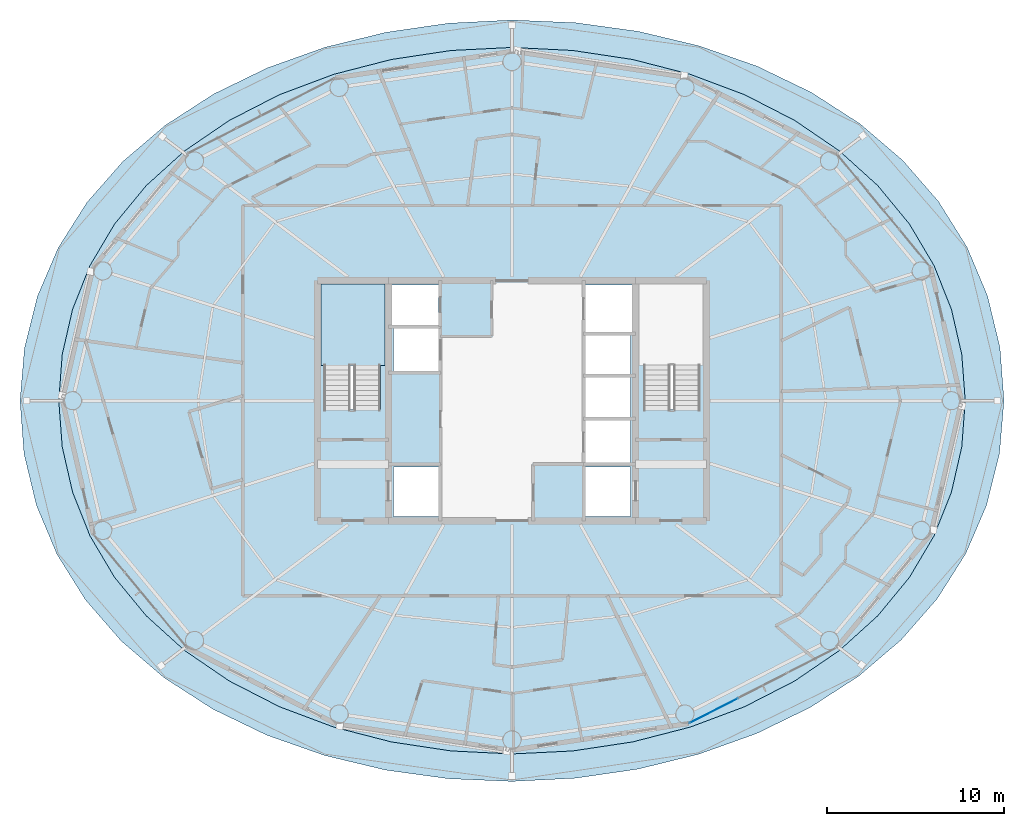
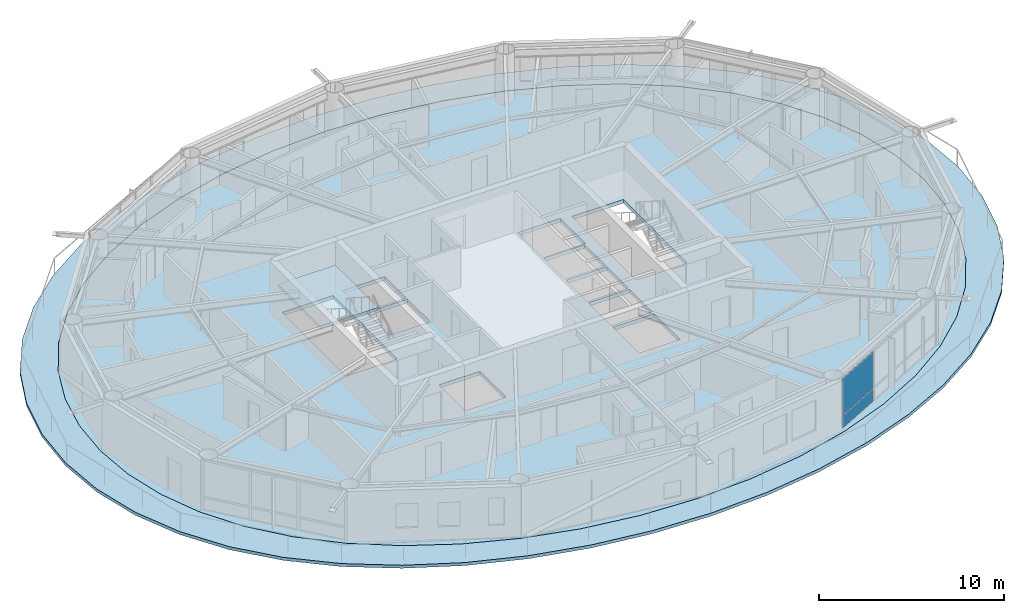
# One storey, part 13 of 23: 3 slabs, 2 plates, 2 elements without a shape of their own.
"""IFC4 building model written with IfcOpenShell, lengths in metres."""

import ifcopenshell
import ifcopenshell.guid

model = None  # the IFC model being written
_history = None  # IfcOwnerHistory: only IFC2X3 demands one
_inside = {}  # id of a spatial element -> (the spatial element, [elements in it])
_under = {}  # id of a project, library or spatial element -> (it, [spatial elements below it])
_declared = {}  # id of a project -> (the project, [libraries it declares])
_typed = {}  # id of a type object -> (the type object, [elements of that type])
_made_of = {}  # id of a material, layer set ... -> (it, [elements and type objects made of it])


def new_model(schema):
    """Start an empty IFC model of exactly this schema.

    Asked for "IFC4X3", IfcOpenShell would pick the latest addendum, in which some entities
    have other attributes; the version numbers below select the first issue.
    IFC2X3 requires an IfcOwnerHistory on every rooted entity: one is made here for all.
    """
    global model, _history
    if schema == "IFC4X3":
        model = ifcopenshell.file(schema_version=(4, 3, 0, 0))
    else:
        model = ifcopenshell.file(schema=schema)
    _inside.clear()
    _under.clear()
    _declared.clear()
    _typed.clear()
    _made_of.clear()
    _history = None
    if model.schema == "IFC2X3":
        org = make("IfcOrganization", Name="unknown")
        user = make(
            "IfcPersonAndOrganization",
            ThePerson=make("IfcPerson", FamilyName="unknown"),
            TheOrganization=org,
        )
        app = make(
            "IfcApplication",
            ApplicationDeveloper=org,
            Version="unknown",
            ApplicationFullName="unknown",
            ApplicationIdentifier="unknown",
        )
        _history = make(
            "IfcOwnerHistory",
            OwningUser=user,
            OwningApplication=app,
            ChangeAction="ADDED",
            CreationDate=0,
        )
    return model


def make(cls, **values):
    """One entity of the class cls with the attributes given. An attribute that is None is left unset."""
    return model.create_entity(
        cls, **{name: value for name, value in values.items() if value is not None}
    )


def rooted(cls, **values):
    """An entity with a GlobalId (a new one), such as an element, a storey or a relation."""
    return make(cls, GlobalId=ifcopenshell.guid.new(), OwnerHistory=_history, **values)


def si_unit(unit_type, name, prefix=None):
    """IfcSIUnit, for example si_unit("LENGTHUNIT", "METRE", prefix="MILLI")."""
    return make("IfcSIUnit", UnitType=unit_type, Prefix=prefix, Name=name)


def assignment(units):
    """IfcUnitAssignment: the units of a project."""
    return None if units is None else make("IfcUnitAssignment", Units=units)


def point(xyz):
    """IfcCartesianPoint."""
    return None if xyz is None else make("IfcCartesianPoint", Coordinates=xyz)


def direction(xyz):
    """IfcDirection."""
    return None if xyz is None else make("IfcDirection", DirectionRatios=xyz)


def frame(location, z_axis=None, x_axis=None):
    """IfcAxis2Placement3D, a coordinate frame: its origin and axes. An axis left out is left unset."""
    return make(
        "IfcAxis2Placement3D",
        Location=point(location),
        Axis=direction(z_axis),
        RefDirection=direction(x_axis),
    )


def frame_2d(location, x_axis=None):
    """IfcAxis2Placement2D, a coordinate frame in the plane: its origin and x axis."""
    return make(
        "IfcAxis2Placement2D", Location=point(location), RefDirection=direction(x_axis)
    )


def origin():
    """The frame at (0, 0, 0) with its axes left unset."""
    return frame((0.0, 0.0, 0.0))


def origin_2d():
    """The frame at (0, 0) in the plane with its x axis left unset."""
    return frame_2d((0.0, 0.0))


def place(relative_to, where):
    """IfcLocalPlacement: puts the frame where relative to a parent placement (None: the world)."""
    return make(
        "IfcLocalPlacement", PlacementRelTo=relative_to, RelativePlacement=where
    )


def context(
    kind, dimensions, precision=None, world=None, true_north=None, identifier=None
):
    """IfcGeometricRepresentationContext, for example the 3D "Model" context."""
    return make(
        "IfcGeometricRepresentationContext",
        ContextIdentifier=identifier,
        ContextType=kind,
        CoordinateSpaceDimension=dimensions,
        Precision=precision,
        WorldCoordinateSystem=world,
        TrueNorth=true_north,
    )


def subcontext(parent, identifier, kind, view, scale=None):
    """IfcGeometricRepresentationSubContext, for example "Body" below "Model"."""
    return make(
        "IfcGeometricRepresentationSubContext",
        ContextIdentifier=identifier,
        ContextType=kind,
        ParentContext=parent,
        TargetScale=scale,
        TargetView=view,
    )


def project(units=None, contexts=None):
    """IfcProject with its units and contexts."""
    return rooted(
        "IfcProject",
        Name="project",
        RepresentationContexts=contexts,
        UnitsInContext=assignment(units),
    )


def spatial(cls, under=None, at=None, **own):
    """A site, building, storey or space (cls), placed at a placement, below another one or the project."""
    s = rooted(cls, ObjectPlacement=at, **own)
    if under is not None:
        _under.setdefault(under.id(), (under, []))[1].append(s)
    return s


def polyline(points):
    """IfcPolyline through the points."""
    return make("IfcPolyline", Points=[point(p) for p in points])


def profile(cls, at=None, kind="AREA", **sizes):
    """A parametric profile (cls). Its sizes go by their IFC names, for example OverallWidth=200.0."""
    return make(cls, ProfileType=kind, Position=at, **sizes)


def rectangle(**sizes):
    """IfcRectangleProfileDef."""
    return profile("IfcRectangleProfileDef", **sizes)


def outline(outer, holes=None, kind="AREA"):
    """IfcArbitraryClosedProfileDef: a profile drawn as a closed curve; with holes, ...WithVoids."""
    if holes is None:
        return make("IfcArbitraryClosedProfileDef", ProfileType=kind, OuterCurve=outer)
    return make(
        "IfcArbitraryProfileDefWithVoids",
        ProfileType=kind,
        OuterCurve=outer,
        InnerCurves=holes,
    )


def extrude(swept, where, along, depth):
    """IfcExtrudedAreaSolid: the profile swept, set in the frame where, extruded along a direction by depth."""
    return make(
        "IfcExtrudedAreaSolid",
        SweptArea=swept,
        Position=where,
        ExtrudedDirection=direction(along),
        Depth=depth,
    )


def shape(context_of_items, identifier, shape_type, items):
    """IfcShapeRepresentation: the items that make up one representation, for example the "Body"."""
    return make(
        "IfcShapeRepresentation",
        ContextOfItems=context_of_items,
        RepresentationIdentifier=identifier,
        RepresentationType=shape_type,
        Items=items,
    )


def material(Name=None, Category=None):
    """IfcMaterial."""
    return make("IfcMaterial", Name=Name, Category=Category)


def layer(
    of_material, thickness, ventilated=None, Name=None, Category=None, Priority=None
):
    """IfcMaterialLayer: one layer of a wall or slab, of a material (None: an air gap)."""
    return make(
        "IfcMaterialLayer",
        Material=of_material,
        LayerThickness=thickness,
        IsVentilated=ventilated,
        Name=Name,
        Category=Category,
        Priority=Priority,
    )


def layer_set(layers, Name=None):
    """IfcMaterialLayerSet."""
    return make("IfcMaterialLayerSet", MaterialLayers=layers, LayerSetName=Name)


def made_of(thing, what):
    """Note that an element or type object is made of a material, layer set ...; save() writes the relation."""
    if what is not None:
        _made_of.setdefault(what.id(), (what, []))[1].append(thing)
    return thing


def type_object(cls, material=None, **own):
    """A type object (cls), such as IfcWallType, which elements share."""
    return made_of(rooted(cls, **own), material)


def element(
    cls,
    number,
    at=None,
    inside=None,
    cuts=None,
    type_object=None,
    material=None,
    context=None,
    identifier="Body",
    shape_type=None,
    held_by="IfcProductDefinitionShape",
    body=None,
    shapes=None,
    **own,
):
    """One element of the class cls, such as IfcWall. Its Tag is "e" and its number.

    at: its placement. inside: the storey or other place that contains it. cuts: it is an
    opening in that element (IfcRelVoidsElement). A single representation is given by context,
    identifier, shape_type and body (its items); several are given by shapes. held_by: the class
    of the entity that holds the representations. save() writes the other relations.
    """
    e = rooted(cls, Tag="e%d" % number, ObjectPlacement=at, **own)
    if body is not None:
        shapes = [shape(context, identifier, shape_type, body)]
    if shapes is not None:
        e.Representation = make(held_by, Representations=shapes)
    if inside is not None:
        _inside.setdefault(inside.id(), (inside, []))[1].append(e)
    if cuts is not None:
        rooted(
            "IfcRelVoidsElement", RelatingBuildingElement=cuts, RelatedOpeningElement=e
        )
    if type_object is not None:
        _typed.setdefault(type_object.id(), (type_object, []))[1].append(e)
    return made_of(e, material)


def aggregate(whole, parts):
    """IfcRelAggregates: a whole, such as a stair, and the parts it consists of."""
    return rooted("IfcRelAggregates", RelatingObject=whole, RelatedObjects=parts)


def save(model, path):
    """Write the relations noted so far, then the file.

    IfcRelAggregates (storeys below a building ...), IfcRelContainedInSpatialStructure (elements
    in a storey), IfcRelDefinesByType, IfcRelAssociatesMaterial and IfcRelDeclares: one each for
    every whole, place, type object, material and project.
    """
    for whole, parts in _under.values():
        aggregate(whole, parts)
    for where, things in _inside.values():
        rooted(
            "IfcRelContainedInSpatialStructure",
            RelatedElements=things,
            RelatingStructure=where,
        )
    for kind, things in _typed.values():
        rooted("IfcRelDefinesByType", RelatedObjects=things, RelatingType=kind)
    for what, things in _made_of.values():
        rooted("IfcRelAssociatesMaterial", RelatedObjects=things, RelatingMaterial=what)
    for by, libraries in _declared.values():
        rooted("IfcRelDeclares", RelatingContext=by, RelatedDefinitions=libraries)
    model.write(path)


model = new_model("IFC4")

# Units and contexts
model_context = context("Model", 3, precision=1e-05, world=origin(), true_north=direction((0.0, 1.0)))
body_context = subcontext(model_context, "Body", "Model", "MODEL_VIEW")
ifc_project = project(units=[si_unit("LENGTHUNIT", "METRE"), si_unit("AREAUNIT", "SQUARE_METRE"), si_unit("VOLUMEUNIT", "CUBIC_METRE"), si_unit("PLANEANGLEUNIT", "RADIAN"), si_unit("MASSUNIT", "GRAM", prefix="KILO")], contexts=[model_context])

# Site, building, storey
site_placement = place(None, origin())
site = spatial("IfcSite", under=ifc_project, at=site_placement, CompositionType="ELEMENT")
building_placement = place(site_placement, origin())
building = spatial("IfcBuilding", under=site, at=building_placement, Name="Sarneth Arch Tower", CompositionType="ELEMENT")
storey_placement = place(building_placement, frame((0.0, 0.0, 235.199951171875)))
storey = spatial("IfcBuildingStorey", under=building, at=storey_placement, Name="L60", CompositionType="ELEMENT", Elevation=235.199951171875)

# Curtain wall, plates
ifc_material_1 = material(Name="Anodised aluminium Type AA25 and solar-control low-e laminated IGU", Category="aluminium")
ifc_layer_1 = layer(ifc_material_1, 0.179931640625)
ifc_layer_set_1 = layer_set([ifc_layer_1], Name="Anodised aluminium Type AA25 and solar-control low-e laminated IGU")
curtain_wall_type = type_object("IfcCurtainWallType", Name="CW-RES-HIGH", PredefinedType="NOTDEFINED", material=ifc_layer_set_1)
curtain_wall_placement = place(storey_placement, origin())
curtain_wall = element("IfcCurtainWall", 1, at=curtain_wall_placement, inside=storey, type_object=curtain_wall_type, Name="L60 Unitised curtain wall facet 14", PredefinedType="NOTDEFINED")
ifc_material_2 = material(Name="Solar-control low-e laminated IGU", Category="glass")
ifc_layer_2 = layer(ifc_material_2, 0.028076171875)
ifc_layer_set_2 = layer_set([ifc_layer_2], Name="Solar-control low-e laminated IGU")
plate_type = type_object("IfcPlateType", Name="CW-PANEL", PredefinedType="CURTAIN_PANEL", material=ifc_layer_set_2)
plate_1_placement = place(storey_placement, frame((59.4208984375, 24.447021484375, 0.06005859375), z_axis=(0.0, 0.0, 1.0), x_axis=(0.890009540525, 0.455941901753, 0.0)))
plate_1 = element("IfcPlate", 2, at=plate_1_placement, type_object=plate_type, Name="Curtain wall glazed vision pane CW-L60-F14/P00-00", PredefinedType="CURTAIN_PANEL", context=body_context, shape_type="SweptSolid", body=[
    extrude(rectangle(XDim=3.044677734375, YDim=0.028076171875, at=origin_2d()), origin(), (0.0, 0.0, 1.0), 0.81005859375),
])
plate_2_placement = place(storey_placement, frame((59.4208984375, 24.447021484375, 0.929931640625), z_axis=(0.0, 0.0, 1.0), x_axis=(0.890009540525, 0.455941901753, 0.0)))
plate_2 = element("IfcPlate", 3, at=plate_2_placement, type_object=plate_type, Name="Curtain wall glazed vision pane CW-L60-F14/P00-01", PredefinedType="CURTAIN_PANEL", context=body_context, shape_type="SweptSolid", body=[
    extrude(rectangle(XDim=3.044677734375, YDim=0.028076171875, at=origin_2d()), origin(), (0.0, 0.0, 1.0), 2.3701171875),
])
aggregate(curtain_wall, [plate_1, plate_2])

# Slab
ifc_material_3 = material(Name="Concrete C50/60", Category="concrete")
ifc_layer_3 = layer(ifc_material_3, 0.199951171875)
ifc_layer_set_3 = layer_set([ifc_layer_3], Name="Concrete C50/60")
slab_type_1 = type_object("IfcSlabType", Name="SLAB-BALC-200", PredefinedType="FLOOR", material=ifc_layer_set_3)
slab_1_placement = place(storey_placement, frame((0.0, 0.0, -0.199951171875)))
element("IfcSlab", 4, at=slab_1_placement, inside=storey, type_object=slab_type_1, Name="L60 Helical balcony band slab", PredefinedType="FLOOR", context=body_context, shape_type="SweptSolid", body=[
    extrude(outline(polyline([(75.85595703125, 42.0), (75.630615234375, 44.9970703125), (74.9287109375, 47.91943359375), (73.7626953125, 50.697265625), (72.150634765625, 53.27587890625), (70.117919921875, 55.614990234375), (67.697998046875, 57.685546875), (64.934814453125, 59.465087890625), (61.882568359375, 60.93701171875), (58.60205078125, 62.0888671875), (55.155517578125, 62.912109375), (51.602783203125, 63.401611328125), (48.0, 63.554931640625), (44.400146484375, 63.37255859375), (40.855712890625, 62.856689453125), (37.421875, 62.0126953125), (34.156494140625, 60.847412109375), (31.11962890625, 59.370849609375), (28.369873046875, 57.595458984375), (25.958251953125, 55.537109375), (23.926513671875, 53.216064453125), (22.30712890625, 50.658447265625), (21.124267578125, 47.900390625), (20.398193359375, 44.991943359375), (20.14404296875, 42.0), (20.369384765625, 39.0029296875), (21.0712890625, 36.08056640625), (22.2373046875, 33.302734375), (23.849365234375, 30.72412109375), (25.882080078125, 28.385009765625), (28.302001953125, 26.314453125), (31.065185546875, 24.534912109375), (34.117431640625, 23.06298828125), (37.39794921875, 21.9111328125), (40.844482421875, 21.087890625), (44.397216796875, 20.598388671875), (48.0, 20.445068359375), (51.599853515625, 20.62744140625), (55.144287109375, 21.143310546875), (58.578125, 21.9873046875), (61.843505859375, 23.152587890625), (64.88037109375, 24.629150390625), (67.630126953125, 26.404541015625), (70.041748046875, 28.462890625), (72.073486328125, 30.783935546875), (73.69287109375, 33.341552734375), (74.875732421875, 36.099609375), (75.601806640625, 39.008056640625), (75.85595703125, 42.0)]), holes=[polyline([(73.660888671875, 42.0), (73.466064453125, 44.610595703125), (72.87890625, 47.17626953125), (71.892822265625, 49.653564453125), (70.5029296875, 52.0), (68.712158203125, 54.17529296875), (66.536865234375, 56.14208984375), (64.009521484375, 57.8671875), (61.177001953125, 59.320556640625), (58.0966796875, 60.4775390625), (54.83203125, 61.318603515625), (51.44580078125, 61.828857421875), (48.0, 62.0), (44.55419921875, 61.828857421875), (41.16796875, 61.318603515625), (37.9033203125, 60.4775390625), (34.822998046875, 59.320556640625), (31.990478515625, 57.8671875), (29.463134765625, 56.14208984375), (27.287841796875, 54.17529296875), (25.4970703125, 52.0), (24.107177734375, 49.653564453125), (23.12109375, 47.17626953125), (22.533935546875, 44.610595703125), (22.339111328125, 42.0), (22.533935546875, 39.389404296875), (23.12109375, 36.82373046875), (24.107177734375, 34.346435546875), (25.4970703125, 32.0), (27.287841796875, 29.82470703125), (29.463134765625, 27.85791015625), (31.990478515625, 26.1328125), (34.822998046875, 24.679443359375), (37.9033203125, 23.5224609375), (41.16796875, 22.681396484375), (44.55419921875, 22.171142578125), (48.0, 22.0), (51.44580078125, 22.171142578125), (54.83203125, 22.681396484375), (58.0966796875, 23.5224609375), (61.177001953125, 24.679443359375), (64.009521484375, 26.1328125), (66.536865234375, 27.85791015625), (68.712158203125, 29.82470703125), (70.5029296875, 32.0), (71.892822265625, 34.346435546875), (72.87890625, 36.82373046875), (73.466064453125, 39.389404296875), (73.660888671875, 42.0)])]), origin(), (0.0, 0.0, 1.0), 0.199951171875),
])

# Stair, slab
ifc_material_4 = material(Name="Concrete C50/60", Category="concrete")
stair_type = type_object("IfcStairType", Name="STAIR-CORE-RC", PredefinedType="HALF_TURN_STAIR", material=ifc_material_4)
stair_placement = place(storey_placement, origin())
stair = element("IfcStair", 5, at=stair_placement, inside=storey, type_object=stair_type, Name="L60 Core Exit Stair 1", PredefinedType="HALF_TURN_STAIR")
ifc_material_5 = material(Name="Concrete C50/60", Category="concrete")
ifc_layer_4 = layer(ifc_material_5, 0.199951171875)
ifc_layer_set_4 = layer_set([ifc_layer_4], Name="Concrete C50/60")
slab_type_2 = type_object("IfcSlabType", Name="SLAB-LANDING-200", PredefinedType="LANDING", material=ifc_layer_set_4)
slab_2_placement = place(storey_placement, frame((0.0, 0.0, 1.60009765625)))
slab_2 = element("IfcSlab", 6, at=slab_2_placement, type_object=slab_type_2, Name="ST-1 landing 1", PredefinedType="LANDING", context=body_context, shape_type="SweptSolid", body=[
    extrude(outline(polyline([(37.199951171875, 43.985107421875), (40.800048828125, 43.985107421875), (40.800048828125, 48.60009765625), (37.199951171875, 48.60009765625), (37.199951171875, 43.985107421875)])), origin(), (0.0, 0.0, 1.0), 0.199951171875),
])
aggregate(stair, [slab_2])

# Slab
ifc_material_6 = material(Name="Concrete C50/60", Category="concrete")
ifc_layer_5 = layer(ifc_material_6, 0.239990234375)
ifc_layer_set_5 = layer_set([ifc_layer_5], Name="Concrete C50/60")
slab_type_3 = type_object("IfcSlabType", Name="SLAB-TOWER-240", PredefinedType="FLOOR", material=ifc_layer_set_5)
slab_3_placement = place(storey_placement, frame((0.0, 0.0, -0.239990234375)))
element("IfcSlab", 7, at=slab_3_placement, inside=storey, type_object=slab_type_3, Name="L60 Elliptical floor slab", PredefinedType="FLOOR", context=body_context, shape_type="SweptSolid", body=[
    extrude(outline(polyline([(73.660888671875, 42.0), (73.466064453125, 44.610595703125), (72.87890625, 47.17626953125), (71.892822265625, 49.653564453125), (70.5029296875, 52.0), (68.712158203125, 54.17529296875), (66.536865234375, 56.14208984375), (64.009521484375, 57.8671875), (61.177001953125, 59.320556640625), (58.0966796875, 60.4775390625), (54.83203125, 61.318603515625), (51.44580078125, 61.828857421875), (48.0, 62.0), (44.55419921875, 61.828857421875), (41.16796875, 61.318603515625), (37.9033203125, 60.4775390625), (34.822998046875, 59.320556640625), (31.990478515625, 57.8671875), (29.463134765625, 56.14208984375), (27.287841796875, 54.17529296875), (25.4970703125, 52.0), (24.107177734375, 49.653564453125), (23.12109375, 47.17626953125), (22.533935546875, 44.610595703125), (22.339111328125, 42.0), (22.533935546875, 39.389404296875), (23.12109375, 36.82373046875), (24.107177734375, 34.346435546875), (25.4970703125, 32.0), (27.287841796875, 29.82470703125), (29.463134765625, 27.85791015625), (31.990478515625, 26.1328125), (34.822998046875, 24.679443359375), (37.9033203125, 23.5224609375), (41.16796875, 22.681396484375), (44.55419921875, 22.171142578125), (48.0, 22.0), (51.44580078125, 22.171142578125), (54.83203125, 22.681396484375), (58.0966796875, 23.5224609375), (61.177001953125, 24.679443359375), (64.009521484375, 26.1328125), (66.536865234375, 27.85791015625), (68.712158203125, 29.82470703125), (70.5029296875, 32.0), (71.892822265625, 34.346435546875), (72.87890625, 36.82373046875), (73.466064453125, 39.389404296875), (73.660888671875, 42.0)]), holes=[polyline([(37.35009765625, 41.489990234375), (40.550048828125, 41.489990234375), (40.550048828125, 48.39990234375), (37.35009765625, 48.39990234375), (37.35009765625, 41.489990234375)]), polyline([(55.449951171875, 41.489990234375), (58.64990234375, 41.489990234375), (58.64990234375, 48.39990234375), (55.449951171875, 48.39990234375), (55.449951171875, 41.489990234375)]), polyline([(41.199951171875, 46.25), (43.85009765625, 46.25), (43.85009765625, 48.550048828125), (41.199951171875, 48.550048828125), (41.199951171875, 46.25)]), polyline([(41.300048828125, 35.449951171875), (43.85009765625, 35.449951171875), (43.85009765625, 38.25), (41.300048828125, 38.25), (41.300048828125, 35.449951171875)]), polyline([(52.14990234375, 35.449951171875), (54.699951171875, 35.449951171875), (54.699951171875, 38.25), (52.14990234375, 38.25), (52.14990234375, 35.449951171875)]), polyline([(52.14990234375, 45.85009765625), (54.800048828125, 45.85009765625), (54.800048828125, 48.550048828125), (52.14990234375, 48.550048828125), (52.14990234375, 45.85009765625)]), polyline([(41.300048828125, 43.64990234375), (43.85009765625, 43.64990234375), (43.85009765625, 46.10009765625), (41.300048828125, 46.10009765625), (41.300048828125, 43.64990234375)]), polyline([(52.14990234375, 38.449951171875), (54.699951171875, 38.449951171875), (54.699951171875, 40.89990234375), (52.14990234375, 40.89990234375), (52.14990234375, 38.449951171875)]), polyline([(52.14990234375, 41.050048828125), (54.699951171875, 41.050048828125), (54.699951171875, 43.35009765625), (52.14990234375, 43.35009765625), (52.14990234375, 41.050048828125)]), polyline([(52.14990234375, 43.5), (54.699951171875, 43.5), (54.699951171875, 45.75), (52.14990234375, 45.75), (52.14990234375, 43.5)])]), origin(), (0.0, 0.0, 1.0), 0.239990234375),
])

save(model, "model.ifc")
